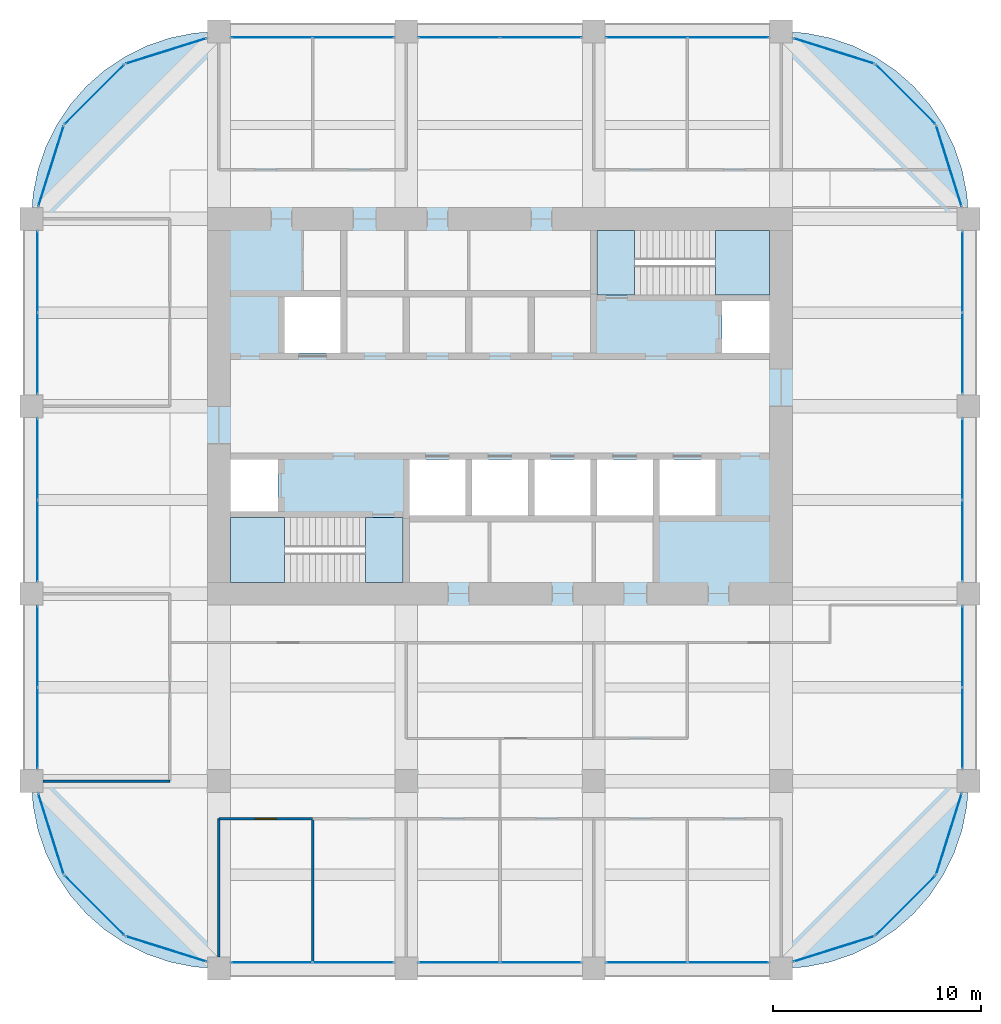
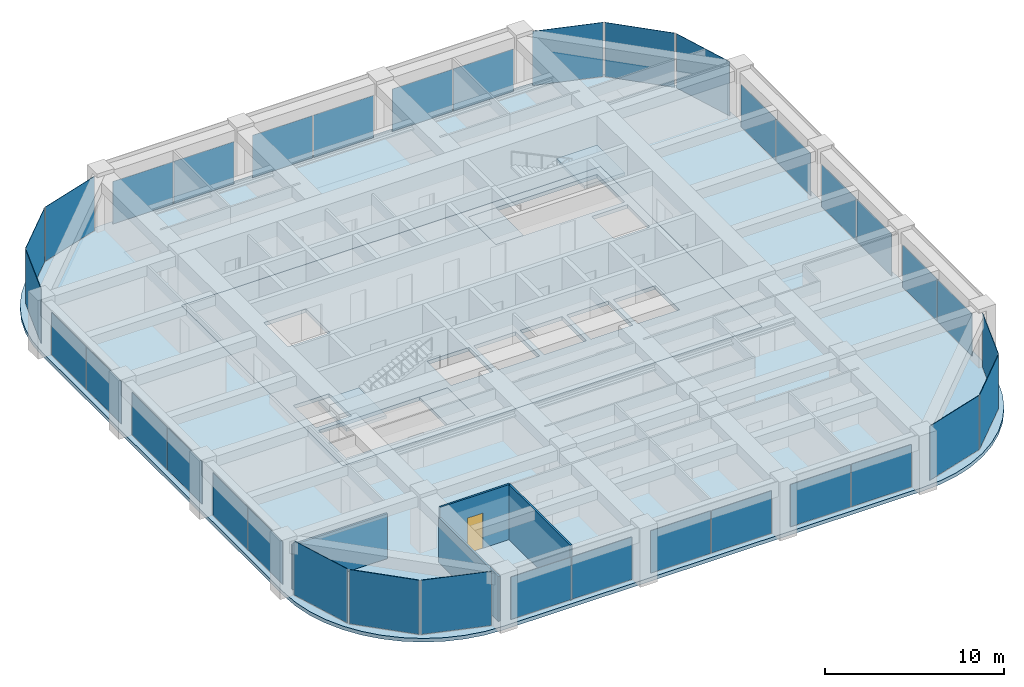
# One storey, part 40 of 44: 36 plates, 6 slabs, 4 walls, 1 door, 1 opening, 26 elements without a shape of their own.
"""IFC4 building model written with IfcOpenShell, lengths in metres."""

from ifc_helpers import new_model, si_unit, direction, frame, frame_2d, origin, origin_2d, place, context, subcontext, project, spatial, polyline, rectangle, outline, extrude, material, layer, layer_set, type_object, element, fill, aggregate, save


model = new_model("IFC4")

# Units and contexts
model_context = context("Model", 3, precision=1e-05, world=origin(), true_north=direction((0.0, 1.0)))
body_context = subcontext(model_context, "Body", "Model", "MODEL_VIEW")
ifc_project = project(units=[si_unit("LENGTHUNIT", "METRE"), si_unit("AREAUNIT", "SQUARE_METRE"), si_unit("VOLUMEUNIT", "CUBIC_METRE"), si_unit("PLANEANGLEUNIT", "RADIAN"), si_unit("MASSUNIT", "GRAM", prefix="KILO")], contexts=[model_context])

# Site, building, storey
site_placement = place(None, origin())
site = spatial("IfcSite", under=ifc_project, at=site_placement, CompositionType="ELEMENT")
building_placement = place(site_placement, origin())
building = spatial("IfcBuilding", under=site, at=building_placement, Name="Zorevar Civic Tower", CompositionType="ELEMENT")
storey_placement = place(building_placement, frame((0.0, 0.0, 283.39990234375)))
storey = spatial("IfcBuildingStorey", under=building, at=storey_placement, Name="L69", CompositionType="ELEMENT", Elevation=283.39990234375)

# Curtain wall, plates
ifc_material_1 = material(Name="Dark grey solar-control glass in black aluminium frame", Category="aluminium")
curtain_wall_type = type_object("IfcCurtainWallType", Name="Curtain wall CW5 top zone", PredefinedType="NOTDEFINED", material=ifc_material_1)
curtain_wall_1_placement = place(storey_placement, origin())
curtain_wall_1 = element("IfcCurtainWall", 1, at=curtain_wall_1_placement, inside=storey, type_object=curtain_wall_type, Name="CW5 L69", PredefinedType="NOTDEFINED")
ifc_material_2 = material(Name="Dark grey solar-control glass", Category="glass")
ifc_layer_1 = layer(ifc_material_2, 0.028076171875)
ifc_layer_set_1 = layer_set([ifc_layer_1], Name="CW5 panel 28")
plate_type = type_object("IfcPlateType", Name="CW5 panel 28", PredefinedType="CURTAIN_PANEL", material=ifc_layer_set_1)
plate_1_placement = place(storey_placement, frame((20.5400390625, 0.300048828125, 0.06005859375), z_axis=(0.0, 0.0, 1.0), x_axis=(1.0, 0.0, 0.0)))
plate_1 = element("IfcPlate", 2, at=plate_1_placement, type_object=plate_type, Name="CW5 panel 1.1", PredefinedType="CURTAIN_PANEL", context=body_context, shape_type="SweptSolid", body=[
    extrude(rectangle(XDim=3.860107421875, YDim=0.028076171875, at=origin_2d()), origin(), (0.0, 0.0, 1.0), 2.889892578125),
])
plate_2_placement = place(storey_placement, frame((24.4599609375, 0.300048828125, 0.06005859375), z_axis=(0.0, 0.0, 1.0), x_axis=(1.0, 0.0, 0.0)))
plate_2 = element("IfcPlate", 3, at=plate_2_placement, type_object=plate_type, Name="CW5 panel 2.1", PredefinedType="CURTAIN_PANEL", context=body_context, shape_type="SweptSolid", body=[
    extrude(rectangle(XDim=3.860107421875, YDim=0.028076171875, at=origin_2d()), origin(), (0.0, 0.0, 1.0), 2.889892578125),
])
aggregate(curtain_wall_1, [plate_1, plate_2])

curtain_wall_2_placement = place(storey_placement, origin())
curtain_wall_2 = element("IfcCurtainWall", 4, at=curtain_wall_2_placement, inside=storey, type_object=curtain_wall_type, Name="CW5 L69", PredefinedType="NOTDEFINED")
plate_3_placement = place(storey_placement, frame((20.5400390625, 44.699951171875, 0.06005859375), z_axis=(0.0, 0.0, 1.0), x_axis=(1.0, 0.0, 0.0)))
plate_3 = element("IfcPlate", 5, at=plate_3_placement, type_object=plate_type, Name="CW5 panel 1.1", PredefinedType="CURTAIN_PANEL", context=body_context, shape_type="SweptSolid", body=[
    extrude(rectangle(XDim=3.860107421875, YDim=0.028076171875, at=origin_2d()), origin(), (0.0, 0.0, 1.0), 2.889892578125),
])
plate_4_placement = place(storey_placement, frame((24.4599609375, 44.699951171875, 0.06005859375), z_axis=(0.0, 0.0, 1.0), x_axis=(1.0, 0.0, 0.0)))
plate_4 = element("IfcPlate", 6, at=plate_4_placement, type_object=plate_type, Name="CW5 panel 2.1", PredefinedType="CURTAIN_PANEL", context=body_context, shape_type="SweptSolid", body=[
    extrude(rectangle(XDim=3.860107421875, YDim=0.028076171875, at=origin_2d()), origin(), (0.0, 0.0, 1.0), 2.889892578125),
])
aggregate(curtain_wall_2, [plate_3, plate_4])

curtain_wall_3_placement = place(storey_placement, origin())
curtain_wall_3 = element("IfcCurtainWall", 7, at=curtain_wall_3_placement, inside=storey, type_object=curtain_wall_type, Name="CW5 L69", PredefinedType="NOTDEFINED")
plate_5_placement = place(storey_placement, frame((29.5400390625, 0.300048828125, 0.06005859375), z_axis=(0.0, 0.0, 1.0), x_axis=(1.0, 0.0, 0.0)))
plate_5 = element("IfcPlate", 8, at=plate_5_placement, type_object=plate_type, Name="CW5 panel 1.1", PredefinedType="CURTAIN_PANEL", context=body_context, shape_type="SweptSolid", body=[
    extrude(rectangle(XDim=3.860107421875, YDim=0.028076171875, at=origin_2d()), origin(), (0.0, 0.0, 1.0), 2.889892578125),
])
plate_6_placement = place(storey_placement, frame((33.4599609375, 0.300048828125, 0.06005859375), z_axis=(0.0, 0.0, 1.0), x_axis=(1.0, 0.0, 0.0)))
plate_6 = element("IfcPlate", 9, at=plate_6_placement, type_object=plate_type, Name="CW5 panel 2.1", PredefinedType="CURTAIN_PANEL", context=body_context, shape_type="SweptSolid", body=[
    extrude(rectangle(XDim=3.860107421875, YDim=0.028076171875, at=origin_2d()), origin(), (0.0, 0.0, 1.0), 2.889892578125),
])
aggregate(curtain_wall_3, [plate_5, plate_6])

curtain_wall_4_placement = place(storey_placement, origin())
curtain_wall_4 = element("IfcCurtainWall", 10, at=curtain_wall_4_placement, inside=storey, type_object=curtain_wall_type, Name="CW5 L69", PredefinedType="NOTDEFINED")
plate_7_placement = place(storey_placement, frame((29.5400390625, 44.699951171875, 0.06005859375), z_axis=(0.0, 0.0, 1.0), x_axis=(1.0, 0.0, 0.0)))
plate_7 = element("IfcPlate", 11, at=plate_7_placement, type_object=plate_type, Name="CW5 panel 1.1", PredefinedType="CURTAIN_PANEL", context=body_context, shape_type="SweptSolid", body=[
    extrude(rectangle(XDim=3.860107421875, YDim=0.028076171875, at=origin_2d()), origin(), (0.0, 0.0, 1.0), 2.889892578125),
])
plate_8_placement = place(storey_placement, frame((33.4599609375, 44.699951171875, 0.06005859375), z_axis=(0.0, 0.0, 1.0), x_axis=(1.0, 0.0, 0.0)))
plate_8 = element("IfcPlate", 12, at=plate_8_placement, type_object=plate_type, Name="CW5 panel 2.1", PredefinedType="CURTAIN_PANEL", context=body_context, shape_type="SweptSolid", body=[
    extrude(rectangle(XDim=3.860107421875, YDim=0.028076171875, at=origin_2d()), origin(), (0.0, 0.0, 1.0), 2.889892578125),
])
aggregate(curtain_wall_4, [plate_7, plate_8])

curtain_wall_5_placement = place(storey_placement, origin())
curtain_wall_5 = element("IfcCurtainWall", 13, at=curtain_wall_5_placement, inside=storey, type_object=curtain_wall_type, Name="CW5 L69", PredefinedType="NOTDEFINED")
plate_9_placement = place(storey_placement, frame((38.5400390625, 0.300048828125, 0.06005859375), z_axis=(0.0, 0.0, 1.0), x_axis=(1.0, 0.0, 0.0)))
plate_9 = element("IfcPlate", 14, at=plate_9_placement, type_object=plate_type, Name="CW5 panel 1.1", PredefinedType="CURTAIN_PANEL", context=body_context, shape_type="SweptSolid", body=[
    extrude(rectangle(XDim=3.860107421875, YDim=0.028076171875, at=origin_2d()), origin(), (0.0, 0.0, 1.0), 2.889892578125),
])
plate_10_placement = place(storey_placement, frame((42.4599609375, 0.300048828125, 0.06005859375), z_axis=(0.0, 0.0, 1.0), x_axis=(1.0, 0.0, 0.0)))
plate_10 = element("IfcPlate", 15, at=plate_10_placement, type_object=plate_type, Name="CW5 panel 2.1", PredefinedType="CURTAIN_PANEL", context=body_context, shape_type="SweptSolid", body=[
    extrude(rectangle(XDim=3.860107421875, YDim=0.028076171875, at=origin_2d()), origin(), (0.0, 0.0, 1.0), 2.889892578125),
])
aggregate(curtain_wall_5, [plate_9, plate_10])

curtain_wall_6_placement = place(storey_placement, origin())
curtain_wall_6 = element("IfcCurtainWall", 16, at=curtain_wall_6_placement, inside=storey, type_object=curtain_wall_type, Name="CW5 L69", PredefinedType="NOTDEFINED")
plate_11_placement = place(storey_placement, frame((38.5400390625, 44.699951171875, 0.06005859375), z_axis=(0.0, 0.0, 1.0), x_axis=(1.0, 0.0, 0.0)))
plate_11 = element("IfcPlate", 17, at=plate_11_placement, type_object=plate_type, Name="CW5 panel 1.1", PredefinedType="CURTAIN_PANEL", context=body_context, shape_type="SweptSolid", body=[
    extrude(rectangle(XDim=3.860107421875, YDim=0.028076171875, at=origin_2d()), origin(), (0.0, 0.0, 1.0), 2.889892578125),
])
plate_12_placement = place(storey_placement, frame((42.4599609375, 44.699951171875, 0.06005859375), z_axis=(0.0, 0.0, 1.0), x_axis=(1.0, 0.0, 0.0)))
plate_12 = element("IfcPlate", 18, at=plate_12_placement, type_object=plate_type, Name="CW5 panel 2.1", PredefinedType="CURTAIN_PANEL", context=body_context, shape_type="SweptSolid", body=[
    extrude(rectangle(XDim=3.860107421875, YDim=0.028076171875, at=origin_2d()), origin(), (0.0, 0.0, 1.0), 2.889892578125),
])
aggregate(curtain_wall_6, [plate_11, plate_12])

curtain_wall_7_placement = place(storey_placement, origin())
curtain_wall_7 = element("IfcCurtainWall", 19, at=curtain_wall_7_placement, inside=storey, type_object=curtain_wall_type, Name="CW5 L69", PredefinedType="NOTDEFINED")
plate_13_placement = place(storey_placement, frame((9.300048828125, 11.5400390625, 0.06005859375), z_axis=(0.0, 0.0, 1.0), x_axis=(0.0, 1.0, 0.0)))
plate_13 = element("IfcPlate", 20, at=plate_13_placement, type_object=plate_type, Name="CW5 panel 1.1", PredefinedType="CURTAIN_PANEL", context=body_context, shape_type="SweptSolid", body=[
    extrude(rectangle(XDim=3.860107421875, YDim=0.028076171875, at=origin_2d()), origin(), (0.0, 0.0, 1.0), 2.889892578125),
])
plate_14_placement = place(storey_placement, frame((9.300048828125, 15.4599609375, 0.06005859375), z_axis=(0.0, 0.0, 1.0), x_axis=(0.0, 1.0, 0.0)))
plate_14 = element("IfcPlate", 21, at=plate_14_placement, type_object=plate_type, Name="CW5 panel 2.1", PredefinedType="CURTAIN_PANEL", context=body_context, shape_type="SweptSolid", body=[
    extrude(rectangle(XDim=3.860107421875, YDim=0.028076171875, at=origin_2d()), origin(), (0.0, 0.0, 1.0), 2.889892578125),
])
aggregate(curtain_wall_7, [plate_13, plate_14])

curtain_wall_8_placement = place(storey_placement, origin())
curtain_wall_8 = element("IfcCurtainWall", 22, at=curtain_wall_8_placement, inside=storey, type_object=curtain_wall_type, Name="CW5 L69", PredefinedType="NOTDEFINED")
plate_15_placement = place(storey_placement, frame((53.699951171875, 11.5400390625, 0.06005859375), z_axis=(0.0, 0.0, 1.0), x_axis=(0.0, 1.0, 0.0)))
plate_15 = element("IfcPlate", 23, at=plate_15_placement, type_object=plate_type, Name="CW5 panel 1.1", PredefinedType="CURTAIN_PANEL", context=body_context, shape_type="SweptSolid", body=[
    extrude(rectangle(XDim=3.860107421875, YDim=0.028076171875, at=origin_2d()), origin(), (0.0, 0.0, 1.0), 2.889892578125),
])
plate_16_placement = place(storey_placement, frame((53.699951171875, 15.4599609375, 0.06005859375), z_axis=(0.0, 0.0, 1.0), x_axis=(0.0, 1.0, 0.0)))
plate_16 = element("IfcPlate", 24, at=plate_16_placement, type_object=plate_type, Name="CW5 panel 2.1", PredefinedType="CURTAIN_PANEL", context=body_context, shape_type="SweptSolid", body=[
    extrude(rectangle(XDim=3.860107421875, YDim=0.028076171875, at=origin_2d()), origin(), (0.0, 0.0, 1.0), 2.889892578125),
])
aggregate(curtain_wall_8, [plate_15, plate_16])

curtain_wall_9_placement = place(storey_placement, origin())
curtain_wall_9 = element("IfcCurtainWall", 25, at=curtain_wall_9_placement, inside=storey, type_object=curtain_wall_type, Name="CW5 L69", PredefinedType="NOTDEFINED")
plate_17_placement = place(storey_placement, frame((9.300048828125, 20.5400390625, 0.06005859375), z_axis=(0.0, 0.0, 1.0), x_axis=(0.0, 1.0, 0.0)))
plate_17 = element("IfcPlate", 26, at=plate_17_placement, type_object=plate_type, Name="CW5 panel 1.1", PredefinedType="CURTAIN_PANEL", context=body_context, shape_type="SweptSolid", body=[
    extrude(rectangle(XDim=3.860107421875, YDim=0.028076171875, at=origin_2d()), origin(), (0.0, 0.0, 1.0), 2.889892578125),
])
plate_18_placement = place(storey_placement, frame((9.300048828125, 24.4599609375, 0.06005859375), z_axis=(0.0, 0.0, 1.0), x_axis=(0.0, 1.0, 0.0)))
plate_18 = element("IfcPlate", 27, at=plate_18_placement, type_object=plate_type, Name="CW5 panel 2.1", PredefinedType="CURTAIN_PANEL", context=body_context, shape_type="SweptSolid", body=[
    extrude(rectangle(XDim=3.860107421875, YDim=0.028076171875, at=origin_2d()), origin(), (0.0, 0.0, 1.0), 2.889892578125),
])
aggregate(curtain_wall_9, [plate_17, plate_18])

curtain_wall_10_placement = place(storey_placement, origin())
curtain_wall_10 = element("IfcCurtainWall", 28, at=curtain_wall_10_placement, inside=storey, type_object=curtain_wall_type, Name="CW5 L69", PredefinedType="NOTDEFINED")
plate_19_placement = place(storey_placement, frame((53.699951171875, 20.5400390625, 0.06005859375), z_axis=(0.0, 0.0, 1.0), x_axis=(0.0, 1.0, 0.0)))
plate_19 = element("IfcPlate", 29, at=plate_19_placement, type_object=plate_type, Name="CW5 panel 1.1", PredefinedType="CURTAIN_PANEL", context=body_context, shape_type="SweptSolid", body=[
    extrude(rectangle(XDim=3.860107421875, YDim=0.028076171875, at=origin_2d()), origin(), (0.0, 0.0, 1.0), 2.889892578125),
])
plate_20_placement = place(storey_placement, frame((53.699951171875, 24.4599609375, 0.06005859375), z_axis=(0.0, 0.0, 1.0), x_axis=(0.0, 1.0, 0.0)))
plate_20 = element("IfcPlate", 30, at=plate_20_placement, type_object=plate_type, Name="CW5 panel 2.1", PredefinedType="CURTAIN_PANEL", context=body_context, shape_type="SweptSolid", body=[
    extrude(rectangle(XDim=3.860107421875, YDim=0.028076171875, at=origin_2d()), origin(), (0.0, 0.0, 1.0), 2.889892578125),
])
aggregate(curtain_wall_10, [plate_19, plate_20])

curtain_wall_11_placement = place(storey_placement, origin())
curtain_wall_11 = element("IfcCurtainWall", 31, at=curtain_wall_11_placement, inside=storey, type_object=curtain_wall_type, Name="CW5 L69", PredefinedType="NOTDEFINED")
plate_21_placement = place(storey_placement, frame((9.300048828125, 29.5400390625, 0.06005859375), z_axis=(0.0, 0.0, 1.0), x_axis=(0.0, 1.0, 0.0)))
plate_21 = element("IfcPlate", 32, at=plate_21_placement, type_object=plate_type, Name="CW5 panel 1.1", PredefinedType="CURTAIN_PANEL", context=body_context, shape_type="SweptSolid", body=[
    extrude(rectangle(XDim=3.860107421875, YDim=0.028076171875, at=origin_2d()), origin(), (0.0, 0.0, 1.0), 2.889892578125),
])
plate_22_placement = place(storey_placement, frame((9.300048828125, 33.4599609375, 0.06005859375), z_axis=(0.0, 0.0, 1.0), x_axis=(0.0, 1.0, 0.0)))
plate_22 = element("IfcPlate", 33, at=plate_22_placement, type_object=plate_type, Name="CW5 panel 2.1", PredefinedType="CURTAIN_PANEL", context=body_context, shape_type="SweptSolid", body=[
    extrude(rectangle(XDim=3.860107421875, YDim=0.028076171875, at=origin_2d()), origin(), (0.0, 0.0, 1.0), 2.889892578125),
])
aggregate(curtain_wall_11, [plate_21, plate_22])

curtain_wall_12_placement = place(storey_placement, origin())
curtain_wall_12 = element("IfcCurtainWall", 34, at=curtain_wall_12_placement, inside=storey, type_object=curtain_wall_type, Name="CW5 L69", PredefinedType="NOTDEFINED")
plate_23_placement = place(storey_placement, frame((53.699951171875, 29.5400390625, 0.06005859375), z_axis=(0.0, 0.0, 1.0), x_axis=(0.0, 1.0, 0.0)))
plate_23 = element("IfcPlate", 35, at=plate_23_placement, type_object=plate_type, Name="CW5 panel 1.1", PredefinedType="CURTAIN_PANEL", context=body_context, shape_type="SweptSolid", body=[
    extrude(rectangle(XDim=3.860107421875, YDim=0.028076171875, at=origin_2d()), origin(), (0.0, 0.0, 1.0), 2.889892578125),
])
plate_24_placement = place(storey_placement, frame((53.699951171875, 33.4599609375, 0.06005859375), z_axis=(0.0, 0.0, 1.0), x_axis=(0.0, 1.0, 0.0)))
plate_24 = element("IfcPlate", 36, at=plate_24_placement, type_object=plate_type, Name="CW5 panel 2.1", PredefinedType="CURTAIN_PANEL", context=body_context, shape_type="SweptSolid", body=[
    extrude(rectangle(XDim=3.860107421875, YDim=0.028076171875, at=origin_2d()), origin(), (0.0, 0.0, 1.0), 2.889892578125),
])
aggregate(curtain_wall_12, [plate_23, plate_24])

# Curtain wall, plate
curtain_wall_13_placement = place(storey_placement, origin())
curtain_wall_13 = element("IfcCurtainWall", 37, at=curtain_wall_13_placement, inside=storey, type_object=curtain_wall_type, Name="CW5 L69", PredefinedType="NOTDEFINED")
plate_25_placement = place(storey_placement, frame((47.52880859375, 0.938232421875, 0.06005859375), z_axis=(0.0, 0.0, 1.0), x_axis=(0.954153437674, 0.299317920238, 0.0)))
plate_25 = element("IfcPlate", 38, at=plate_25_placement, type_object=plate_type, Name="CW5 panel 1.1", PredefinedType="CURTAIN_PANEL", context=body_context, shape_type="SweptSolid", body=[
    extrude(rectangle(XDim=4.028076171875, YDim=0.028076171875, at=origin_2d()), origin(), (0.0, 0.0, 1.0), 3.68994140625),
])
aggregate(curtain_wall_13, [plate_25])

curtain_wall_14_placement = place(storey_placement, origin())
curtain_wall_14 = element("IfcCurtainWall", 39, at=curtain_wall_14_placement, inside=storey, type_object=curtain_wall_type, Name="CW5 L69", PredefinedType="NOTDEFINED")
plate_26_placement = place(storey_placement, frame((50.974365234375, 3.025634765625, 0.06005859375), z_axis=(0.0, 0.0, 1.0), x_axis=(0.707106781187, 0.707106781187, 0.0)))
plate_26 = element("IfcPlate", 40, at=plate_26_placement, type_object=plate_type, Name="CW5 panel 1.1", PredefinedType="CURTAIN_PANEL", context=body_context, shape_type="SweptSolid", body=[
    extrude(rectangle(XDim=4.028076171875, YDim=0.028076171875, at=origin_2d()), origin(), (0.0, 0.0, 1.0), 3.68994140625),
])
aggregate(curtain_wall_14, [plate_26])

curtain_wall_15_placement = place(storey_placement, origin())
curtain_wall_15 = element("IfcCurtainWall", 41, at=curtain_wall_15_placement, inside=storey, type_object=curtain_wall_type, Name="CW5 L69", PredefinedType="NOTDEFINED")
plate_27_placement = place(storey_placement, frame((53.061767578125, 6.47119140625, 0.06005859375), z_axis=(0.0, 0.0, 1.0), x_axis=(0.299317920238, 0.954153437674, 0.0)))
plate_27 = element("IfcPlate", 42, at=plate_27_placement, type_object=plate_type, Name="CW5 panel 1.1", PredefinedType="CURTAIN_PANEL", context=body_context, shape_type="SweptSolid", body=[
    extrude(rectangle(XDim=4.028076171875, YDim=0.028076171875, at=origin_2d()), origin(), (0.0, 0.0, 1.0), 3.68994140625),
])
aggregate(curtain_wall_15, [plate_27])

curtain_wall_16_placement = place(storey_placement, origin())
curtain_wall_16 = element("IfcCurtainWall", 43, at=curtain_wall_16_placement, inside=storey, type_object=curtain_wall_type, Name="CW5 L69", PredefinedType="NOTDEFINED")
plate_28_placement = place(storey_placement, frame((53.061767578125, 38.52880859375, 0.06005859375), z_axis=(0.0, 0.0, 1.0), x_axis=(-0.299317920238, 0.954153437674, 0.0)))
plate_28 = element("IfcPlate", 44, at=plate_28_placement, type_object=plate_type, Name="CW5 panel 1.1", PredefinedType="CURTAIN_PANEL", context=body_context, shape_type="SweptSolid", body=[
    extrude(rectangle(XDim=4.028076171875, YDim=0.028076171875, at=origin_2d()), origin(), (0.0, 0.0, 1.0), 3.68994140625),
])
aggregate(curtain_wall_16, [plate_28])

curtain_wall_17_placement = place(storey_placement, origin())
curtain_wall_17 = element("IfcCurtainWall", 45, at=curtain_wall_17_placement, inside=storey, type_object=curtain_wall_type, Name="CW5 L69", PredefinedType="NOTDEFINED")
plate_29_placement = place(storey_placement, frame((50.974365234375, 41.974365234375, 0.06005859375), z_axis=(0.0, 0.0, 1.0), x_axis=(-0.707106781187, 0.707106781187, 0.0)))
plate_29 = element("IfcPlate", 46, at=plate_29_placement, type_object=plate_type, Name="CW5 panel 1.1", PredefinedType="CURTAIN_PANEL", context=body_context, shape_type="SweptSolid", body=[
    extrude(rectangle(XDim=4.028076171875, YDim=0.028076171875, at=origin_2d()), origin(), (0.0, 0.0, 1.0), 3.68994140625),
])
aggregate(curtain_wall_17, [plate_29])

curtain_wall_18_placement = place(storey_placement, origin())
curtain_wall_18 = element("IfcCurtainWall", 47, at=curtain_wall_18_placement, inside=storey, type_object=curtain_wall_type, Name="CW5 L69", PredefinedType="NOTDEFINED")
plate_30_placement = place(storey_placement, frame((47.52880859375, 44.061767578125, 0.06005859375), z_axis=(0.0, 0.0, 1.0), x_axis=(-0.954153437674, 0.299317920238, 0.0)))
plate_30 = element("IfcPlate", 48, at=plate_30_placement, type_object=plate_type, Name="CW5 panel 1.1", PredefinedType="CURTAIN_PANEL", context=body_context, shape_type="SweptSolid", body=[
    extrude(rectangle(XDim=4.028076171875, YDim=0.028076171875, at=origin_2d()), origin(), (0.0, 0.0, 1.0), 3.68994140625),
])
aggregate(curtain_wall_18, [plate_30])

curtain_wall_19_placement = place(storey_placement, origin())
curtain_wall_19 = element("IfcCurtainWall", 49, at=curtain_wall_19_placement, inside=storey, type_object=curtain_wall_type, Name="CW5 L69", PredefinedType="NOTDEFINED")
plate_31_placement = place(storey_placement, frame((15.47119140625, 44.061767578125, 0.06005859375), z_axis=(0.0, 0.0, 1.0), x_axis=(-0.954153437674, -0.299317920238, 0.0)))
plate_31 = element("IfcPlate", 50, at=plate_31_placement, type_object=plate_type, Name="CW5 panel 1.1", PredefinedType="CURTAIN_PANEL", context=body_context, shape_type="SweptSolid", body=[
    extrude(rectangle(XDim=4.028076171875, YDim=0.028076171875, at=origin_2d()), origin(), (0.0, 0.0, 1.0), 3.68994140625),
])
aggregate(curtain_wall_19, [plate_31])

curtain_wall_20_placement = place(storey_placement, origin())
curtain_wall_20 = element("IfcCurtainWall", 51, at=curtain_wall_20_placement, inside=storey, type_object=curtain_wall_type, Name="CW5 L69", PredefinedType="NOTDEFINED")
plate_32_placement = place(storey_placement, frame((12.025634765625, 41.974365234375, 0.06005859375), z_axis=(0.0, 0.0, 1.0), x_axis=(-0.707106781187, -0.707106781187, 0.0)))
plate_32 = element("IfcPlate", 52, at=plate_32_placement, type_object=plate_type, Name="CW5 panel 1.1", PredefinedType="CURTAIN_PANEL", context=body_context, shape_type="SweptSolid", body=[
    extrude(rectangle(XDim=4.028076171875, YDim=0.028076171875, at=origin_2d()), origin(), (0.0, 0.0, 1.0), 3.68994140625),
])
aggregate(curtain_wall_20, [plate_32])

curtain_wall_21_placement = place(storey_placement, origin())
curtain_wall_21 = element("IfcCurtainWall", 53, at=curtain_wall_21_placement, inside=storey, type_object=curtain_wall_type, Name="CW5 L69", PredefinedType="NOTDEFINED")
plate_33_placement = place(storey_placement, frame((9.938232421875, 38.52880859375, 0.06005859375), z_axis=(0.0, 0.0, 1.0), x_axis=(-0.299317920238, -0.954153437674, 0.0)))
plate_33 = element("IfcPlate", 54, at=plate_33_placement, type_object=plate_type, Name="CW5 panel 1.1", PredefinedType="CURTAIN_PANEL", context=body_context, shape_type="SweptSolid", body=[
    extrude(rectangle(XDim=4.028076171875, YDim=0.028076171875, at=origin_2d()), origin(), (0.0, 0.0, 1.0), 3.68994140625),
])
aggregate(curtain_wall_21, [plate_33])

curtain_wall_22_placement = place(storey_placement, origin())
curtain_wall_22 = element("IfcCurtainWall", 55, at=curtain_wall_22_placement, inside=storey, type_object=curtain_wall_type, Name="CW5 L69", PredefinedType="NOTDEFINED")
plate_34_placement = place(storey_placement, frame((9.938232421875, 6.47119140625, 0.06005859375), z_axis=(0.0, 0.0, 1.0), x_axis=(0.299317920238, -0.954153437674, 0.0)))
plate_34 = element("IfcPlate", 56, at=plate_34_placement, type_object=plate_type, Name="CW5 panel 1.1", PredefinedType="CURTAIN_PANEL", context=body_context, shape_type="SweptSolid", body=[
    extrude(rectangle(XDim=4.028076171875, YDim=0.028076171875, at=origin_2d()), origin(), (0.0, 0.0, 1.0), 3.68994140625),
])
aggregate(curtain_wall_22, [plate_34])

curtain_wall_23_placement = place(storey_placement, origin())
curtain_wall_23 = element("IfcCurtainWall", 57, at=curtain_wall_23_placement, inside=storey, type_object=curtain_wall_type, Name="CW5 L69", PredefinedType="NOTDEFINED")
plate_35_placement = place(storey_placement, frame((12.025634765625, 3.025634765625, 0.06005859375), z_axis=(0.0, 0.0, 1.0), x_axis=(0.707106781187, -0.707106781187, 0.0)))
plate_35 = element("IfcPlate", 58, at=plate_35_placement, type_object=plate_type, Name="CW5 panel 1.1", PredefinedType="CURTAIN_PANEL", context=body_context, shape_type="SweptSolid", body=[
    extrude(rectangle(XDim=4.028076171875, YDim=0.028076171875, at=origin_2d()), origin(), (0.0, 0.0, 1.0), 3.68994140625),
])
aggregate(curtain_wall_23, [plate_35])

curtain_wall_24_placement = place(storey_placement, origin())
curtain_wall_24 = element("IfcCurtainWall", 59, at=curtain_wall_24_placement, inside=storey, type_object=curtain_wall_type, Name="CW5 L69", PredefinedType="NOTDEFINED")
plate_36_placement = place(storey_placement, frame((15.47119140625, 0.938232421875, 0.06005859375), z_axis=(0.0, 0.0, 1.0), x_axis=(0.954153437674, -0.299317920238, 0.0)))
plate_36 = element("IfcPlate", 60, at=plate_36_placement, type_object=plate_type, Name="CW5 panel 1.1", PredefinedType="CURTAIN_PANEL", context=body_context, shape_type="SweptSolid", body=[
    extrude(rectangle(XDim=4.028076171875, YDim=0.028076171875, at=origin_2d()), origin(), (0.0, 0.0, 1.0), 3.68994140625),
])
aggregate(curtain_wall_24, [plate_36])

# Slabs
ifc_material_3 = material(Name="Concrete C40/50", Category="concrete")
ifc_layer_2 = layer(ifc_material_3, 0.25)
ifc_layer_set_2 = layer_set([ifc_layer_2], Name="Floor slab 250")
slab_type_1 = type_object("IfcSlabType", Name="Floor slab 250", PredefinedType="FLOOR", material=ifc_layer_set_2)
slab_1_placement = place(storey_placement, frame((0.0, 0.0, -0.25)))
element("IfcSlab", 61, at=slab_1_placement, inside=storey, type_object=slab_type_1, Name="Floor slab L69", PredefinedType="FLOOR", context=body_context, shape_type="SweptSolid", body=[
    extrude(outline(polyline([(45.0, 0.0), (46.1748046875, 0.076904296875), (47.329345703125, 0.306640625), (48.444091796875, 0.68505859375), (49.5, 1.205810546875), (50.478759765625, 1.85986328125), (51.364013671875, 2.635986328125), (52.14013671875, 3.521240234375), (52.794189453125, 4.5), (53.31494140625, 5.555908203125), (53.693359375, 6.670654296875), (53.923095703125, 7.8251953125), (54.0, 9.0), (54.0, 36.0), (53.923095703125, 37.1748046875), (53.693359375, 38.329345703125), (53.31494140625, 39.444091796875), (52.794189453125, 40.5), (52.14013671875, 41.478759765625), (51.364013671875, 42.364013671875), (50.478759765625, 43.14013671875), (49.5, 43.794189453125), (48.444091796875, 44.31494140625), (47.329345703125, 44.693359375), (46.1748046875, 44.923095703125), (45.0, 45.0), (18.0, 45.0), (16.8251953125, 44.923095703125), (15.670654296875, 44.693359375), (14.555908203125, 44.31494140625), (13.5, 43.794189453125), (12.521240234375, 43.14013671875), (11.635986328125, 42.364013671875), (10.85986328125, 41.478759765625), (10.205810546875, 40.5), (9.68505859375, 39.444091796875), (9.306640625, 38.329345703125), (9.076904296875, 37.1748046875), (9.0, 36.0), (9.0, 9.0), (9.076904296875, 7.8251953125), (9.306640625, 6.670654296875), (9.68505859375, 5.555908203125), (10.205810546875, 4.5), (10.85986328125, 3.521240234375), (11.635986328125, 2.635986328125), (12.521240234375, 1.85986328125), (13.5, 1.205810546875), (14.555908203125, 0.68505859375), (15.670654296875, 0.306640625), (16.8251953125, 0.076904296875), (18.0, 0.0), (45.0, 0.0)]), holes=[polyline([(18.0, 18.0), (45.0, 18.0), (45.0, 36.0), (18.0, 36.0), (18.0, 18.0)])]), origin(), (0.0, 0.0, 1.0), 0.25),
])
slab_2_placement = place(storey_placement, frame((0.0, 0.0, -0.25)))
element("IfcSlab", 62, at=slab_2_placement, inside=storey, type_object=slab_type_1, Name="Core floor L69", PredefinedType="FLOOR", context=body_context, shape_type="SweptSolid", body=[
    extrude(outline(polyline([(18.0, 18.0), (45.0, 18.0), (45.0, 36.0), (18.0, 36.0), (18.0, 18.0)]), holes=[polyline([(18.550048828125, 18.550048828125), (26.85009765625, 18.550048828125), (26.85009765625, 21.64990234375), (18.550048828125, 21.64990234375), (18.550048828125, 18.550048828125)]), polyline([(36.14990234375, 32.35009765625), (44.449951171875, 32.35009765625), (44.449951171875, 35.449951171875), (36.14990234375, 35.449951171875), (36.14990234375, 32.35009765625)]), polyline([(18.550048828125, 21.949951171875), (20.85009765625, 21.949951171875), (20.85009765625, 24.449951171875), (18.550048828125, 24.449951171875), (18.550048828125, 21.949951171875)]), polyline([(42.14990234375, 29.550048828125), (44.449951171875, 29.550048828125), (44.449951171875, 32.050048828125), (42.14990234375, 32.050048828125), (42.14990234375, 29.550048828125)]), polyline([(27.14990234375, 21.75), (29.85009765625, 21.75), (29.85009765625, 24.449951171875), (27.14990234375, 24.449951171875), (27.14990234375, 21.75)]), polyline([(30.14990234375, 21.75), (32.85009765625, 21.75), (32.85009765625, 24.449951171875), (30.14990234375, 24.449951171875), (30.14990234375, 21.75)]), polyline([(33.14990234375, 21.75), (35.85009765625, 21.75), (35.85009765625, 24.449951171875), (33.14990234375, 24.449951171875), (33.14990234375, 21.75)]), polyline([(36.14990234375, 21.75), (38.85009765625, 21.75), (38.85009765625, 24.449951171875), (36.14990234375, 24.449951171875), (36.14990234375, 21.75)]), polyline([(39.14990234375, 21.75), (41.85009765625, 21.75), (41.85009765625, 24.449951171875), (39.14990234375, 24.449951171875), (39.14990234375, 21.75)]), polyline([(21.14990234375, 29.550048828125), (23.85009765625, 29.550048828125), (23.85009765625, 32.25), (21.14990234375, 32.25), (21.14990234375, 29.550048828125)])]), origin(), (0.0, 0.0, 1.0), 0.25),
])

# Stair, slabs
ifc_material_4 = material(Name="Precast concrete C40/50", Category="concrete")
stair_type = type_object("IfcStairType", Name="Stair ST 28R", PredefinedType="HALF_TURN_STAIR", material=ifc_material_4)
stair_1_placement = place(storey_placement, origin())
stair_1 = element("IfcStair", 63, at=stair_1_placement, inside=storey, type_object=stair_type, Name="Stair ST1 L69", PredefinedType="HALF_TURN_STAIR")
ifc_material_5 = material(Name="Concrete C40/50", Category="concrete")
ifc_layer_3 = layer(ifc_material_5, 0.199951171875)
ifc_layer_set_3 = layer_set([ifc_layer_3], Name="Stair landing 200")
slab_type_2 = type_object("IfcSlabType", Name="Stair landing 200", PredefinedType="LANDING", material=ifc_layer_set_3)
slab_3_placement = place(storey_placement, frame((0.0, 0.0, -0.199951171875)))
slab_3 = element("IfcSlab", 64, at=slab_3_placement, type_object=slab_type_2, Name="ST1 landing 1", PredefinedType="LANDING", context=body_context, shape_type="SweptSolid", body=[
    extrude(outline(polyline([(25.050048828125, 18.550048828125), (26.85009765625, 18.550048828125), (26.85009765625, 21.64990234375), (25.050048828125, 21.64990234375), (25.050048828125, 18.550048828125)])), origin(), (0.0, 0.0, 1.0), 0.199951171875),
])
slab_4_placement = place(storey_placement, frame((0.0, 0.0, 1.800048828125)))
slab_4 = element("IfcSlab", 65, at=slab_4_placement, type_object=slab_type_2, Name="ST1 landing 2", PredefinedType="LANDING", context=body_context, shape_type="SweptSolid", body=[
    extrude(outline(polyline([(18.550048828125, 18.550048828125), (21.14990234375, 18.550048828125), (21.14990234375, 21.64990234375), (18.550048828125, 21.64990234375), (18.550048828125, 18.550048828125)])), origin(), (0.0, 0.0, 1.0), 0.199951171875),
])
aggregate(stair_1, [slab_3, slab_4])

stair_2_placement = place(storey_placement, origin())
stair_2 = element("IfcStair", 66, at=stair_2_placement, inside=storey, type_object=stair_type, Name="Stair ST2 L69", PredefinedType="HALF_TURN_STAIR")
slab_5_placement = place(storey_placement, frame((0.0, 0.0, -0.199951171875)))
slab_5 = element("IfcSlab", 67, at=slab_5_placement, type_object=slab_type_2, Name="ST2 landing 1", PredefinedType="LANDING", context=body_context, shape_type="SweptSolid", body=[
    extrude(outline(polyline([(37.949951171875, 32.35009765625), (36.14990234375, 32.35009765625), (36.14990234375, 35.449951171875), (37.949951171875, 35.449951171875), (37.949951171875, 32.35009765625)])), origin(), (0.0, 0.0, 1.0), 0.199951171875),
])
slab_6_placement = place(storey_placement, frame((0.0, 0.0, 1.800048828125)))
slab_6 = element("IfcSlab", 68, at=slab_6_placement, type_object=slab_type_2, Name="ST2 landing 2", PredefinedType="LANDING", context=body_context, shape_type="SweptSolid", body=[
    extrude(outline(polyline([(44.449951171875, 32.35009765625), (41.85009765625, 32.35009765625), (41.85009765625, 35.449951171875), (44.449951171875, 35.449951171875), (44.449951171875, 32.35009765625)])), origin(), (0.0, 0.0, 1.0), 0.199951171875),
])
aggregate(stair_2, [slab_5, slab_6])

# Wall, opening, door
ifc_material_6 = material(Name="Gypsum board on steel studs", Category="steel")
ifc_layer_4 = layer(ifc_material_6, 0.1201171875)
ifc_layer_set_4 = layer_set([ifc_layer_4], Name="Partition 120")
wall_type = type_object("IfcWallType", Name="Partition 120", PredefinedType="PARTITIONING", material=ifc_layer_set_4)
wall_1_placement = place(storey_placement, frame((18.0, 7.199951171875, 0.0), z_axis=(0.0, 0.0, 1.0), x_axis=(1.0, 0.0, 0.0)))
wall_1 = element("IfcWall", 69, at=wall_1_placement, inside=storey, type_object=wall_type, Name="Partition 120 L69", PredefinedType="PARTITIONING", context=body_context, shape_type="SweptSolid", body=[
    extrude(rectangle(XDim=4.5, YDim=0.1201171875, at=frame_2d((2.25, 0.0))), origin(), (0.0, 0.0, 1.0), 3.75),
])
opening_placement = place(wall_1_placement, frame((1.75, 0.0, 0.0)))
opening = element("IfcOpeningElement", 70, at=opening_placement, cuts=wall_1, Name="Opening L69.17", PredefinedType="OPENING", context=body_context, shape_type="SweptSolid", body=[
    extrude(rectangle(XDim=1.0, YDim=2.39990234375, at=frame_2d((0.5, 1.199951171875))), frame((0.0, 0.070068359375, 0.0), z_axis=(0.0, -1.0, 0.0), x_axis=(1.0, 0.0, 0.0)), (0.0, 0.0, 1.0), 0.14013671875),
])
ifc_material_7 = material(Name="Timber door set", Category="wood")
door_type = type_object("IfcDoorType", Name="Door D1 1000x2400", OperationType="SINGLE_SWING_LEFT", PredefinedType="DOOR", material=ifc_material_7)
door_placement = place(opening_placement, origin())
door = element("IfcDoor", 71, at=door_placement, inside=storey, type_object=door_type, Name="Door L69 D1", OperationType="SINGLE_SWING_RIGHT", OverallHeight=2.39990234375, OverallWidth=1.0, PredefinedType="DOOR", context=body_context, shape_type="SweptSolid", body=[
    extrude(rectangle(XDim=1.0, YDim=2.39990234375, at=frame_2d((0.5, 1.199951171875))), frame((0.0, 0.02490234375, 0.0), z_axis=(0.0, -1.0, 0.0), x_axis=(1.0, 0.0, 0.0)), (0.0, 0.0, 1.0), 0.050048828125),
])
fill(opening, door)

# Walls
wall_2_placement = place(storey_placement, frame((9.550048828125, 9.0, 0.0), z_axis=(0.0, 0.0, 1.0), x_axis=(1.0, 0.0, 0.0)))
element("IfcWall", 72, at=wall_2_placement, inside=storey, type_object=wall_type, Name="Partition 120 L69", PredefinedType="PARTITIONING", context=body_context, shape_type="SweptSolid", body=[
    extrude(rectangle(XDim=6.099853515625, YDim=0.1201171875, at=frame_2d((3.0498046875, 0.0))), origin(), (0.0, 0.0, 1.0), 3.050048828125),
])
wall_3_placement = place(storey_placement, frame((18.0, 0.550048828125, 0.0), z_axis=(0.0, 0.0, 1.0), x_axis=(0.0, 1.0, 0.0)))
element("IfcWall", 73, at=wall_3_placement, inside=storey, type_object=wall_type, Name="Partition 120 L69", PredefinedType="PARTITIONING", context=body_context, shape_type="SweptSolid", body=[
    extrude(rectangle(XDim=6.64990234375, YDim=0.1201171875, at=frame_2d((3.324951171875, 0.0))), origin(), (0.0, 0.0, 1.0), 3.050048828125),
])
wall_4_placement = place(storey_placement, frame((22.5, 0.31005859375, 0.0), z_axis=(0.0, 0.0, 1.0), x_axis=(0.0, 1.0, 0.0)))
element("IfcWall", 74, at=wall_4_placement, inside=storey, type_object=wall_type, Name="Partition 120 L69", PredefinedType="PARTITIONING", context=body_context, shape_type="SweptSolid", body=[
    extrude(rectangle(XDim=6.889892578125, YDim=0.1201171875, at=frame_2d((3.44482421875, 0.0))), origin(), (0.0, 0.0, 1.0), 3.75),
])

save(model, "model.ifc")
